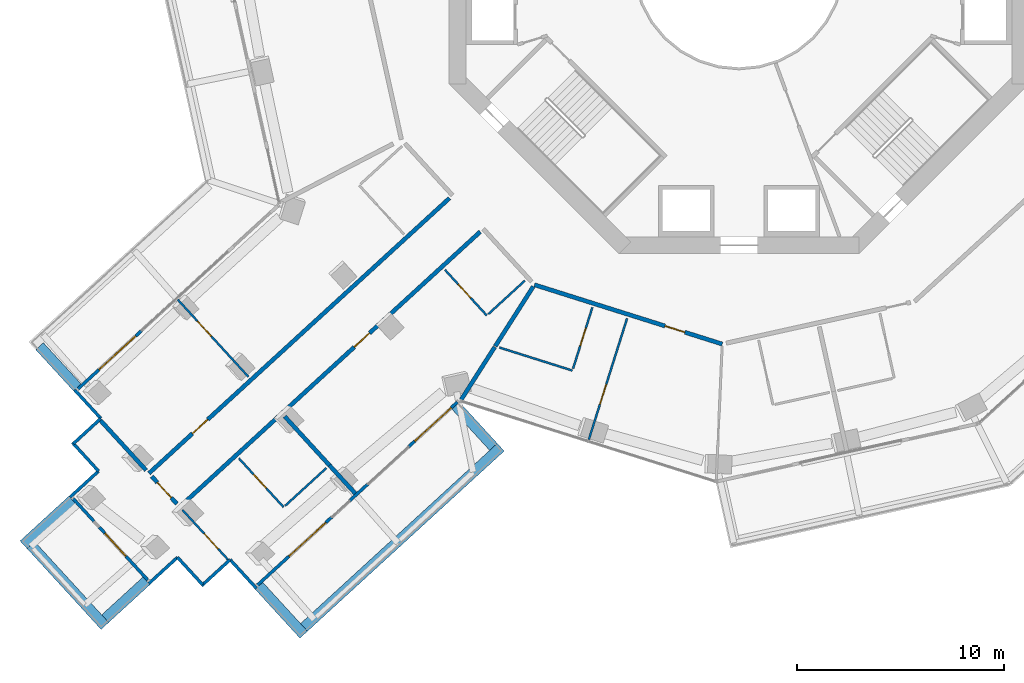
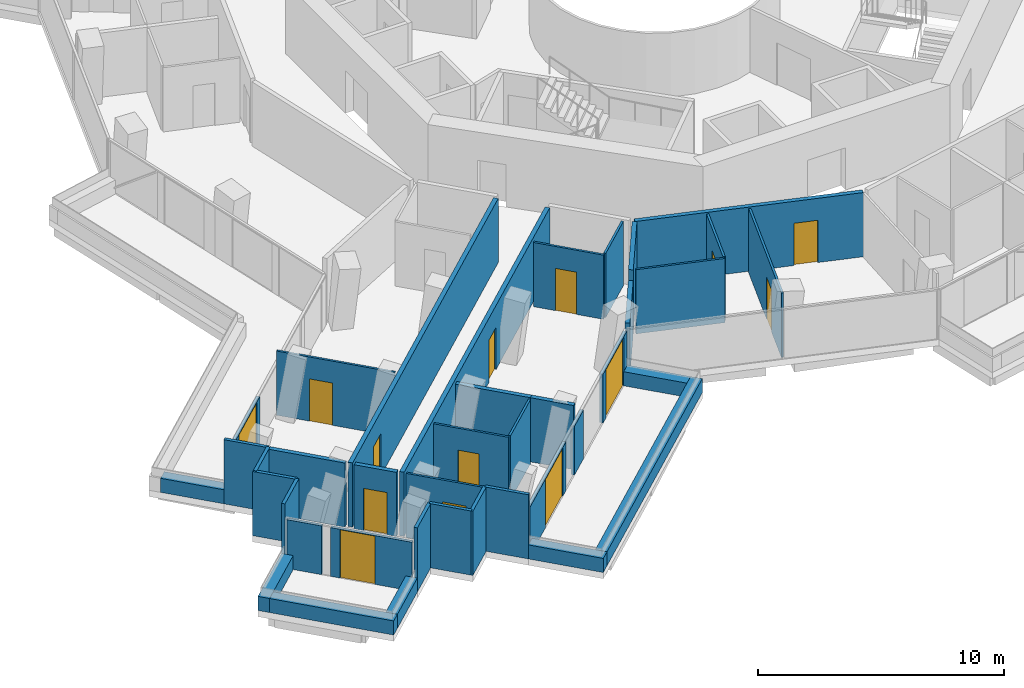
# One storey, part 16 of 24: 39 walls, 14 doors, 14 openings.
"""IFC4 building model written with IfcOpenShell, lengths in metres."""

from ifc_helpers import new_model, si_unit, direction, frame, frame_2d, origin, place, context, subcontext, project, spatial, rectangle, extrude, material, layer, layer_set, type_object, element, fill, save


model = new_model("IFC4")

# Units and contexts
model_context = context("Model", 3, precision=1e-05, world=origin(), true_north=direction((0.0, 1.0)))
body_context = subcontext(model_context, "Body", "Model", "MODEL_VIEW")
ifc_project = project(units=[si_unit("LENGTHUNIT", "METRE"), si_unit("AREAUNIT", "SQUARE_METRE"), si_unit("VOLUMEUNIT", "CUBIC_METRE"), si_unit("PLANEANGLEUNIT", "RADIAN"), si_unit("MASSUNIT", "GRAM", prefix="KILO")], contexts=[model_context])

# Site, building, storey
site_placement = place(None, origin())
site = spatial("IfcSite", under=ifc_project, at=site_placement, CompositionType="ELEMENT")
building_placement = place(site_placement, origin())
building = spatial("IfcBuilding", under=site, at=building_placement, Name="Verdalira Terraces Hotel", CompositionType="ELEMENT")
storey_placement = place(building_placement, frame((0.0, 0.0, 86.0)))
storey = spatial("IfcBuildingStorey", under=building, at=storey_placement, Name="L19", CompositionType="ELEMENT", Elevation=86.0)

# Walls
ifc_material_1 = material(Name="Concrete C40", Category="concrete")
ifc_layer_1 = layer(ifc_material_1, 0.5)
ifc_layer_set_1 = layer_set([ifc_layer_1], Name="Balcony planter trough with tree")
wall_type_1 = type_object("IfcWallType", Name="Balcony planter trough with tree", PredefinedType="SOLIDWALL", material=ifc_layer_set_1)
wall_1_placement = place(storey_placement, frame((-33.793945, -18.470215, 0.0), z_axis=(0.0, 0.0, 1.0), x_axis=(0.675306739, -0.737536988, 0.0)))
element("IfcWall", 1, at=wall_1_placement, inside=storey, type_object=wall_type_1, Name="Balcony planter", PredefinedType="SOLIDWALL", context=body_context, shape_type="SweptSolid", body=[
    extrude(rectangle(XDim=2.699219, YDim=0.5, at=frame_2d((1.349609, 0.0))), origin(), (0.0, 0.0, 1.0), 0.699951),
])
wall_2_placement = place(storey_placement, frame((-32.210693, -25.901611, 0.0), z_axis=(0.0, 0.0, 1.0), x_axis=(-0.737486694, -0.675361663, 0.0)))
element("IfcWall", 2, at=wall_2_placement, inside=storey, type_object=wall_type_1, Name="Balcony planter", PredefinedType="SOLIDWALL", context=body_context, shape_type="SweptSolid", body=[
    extrude(rectangle(XDim=3.198975, YDim=0.5, at=frame_2d((1.599609, 0.0))), origin(), (0.0, 0.0, 1.0), 0.699951),
])
wall_3_placement = place(storey_placement, frame((-34.216797, -28.077637, 0.0), z_axis=(0.0, 0.0, 1.0), x_axis=(0.675330302, -0.737515412, 0.0)))
element("IfcWall", 3, at=wall_3_placement, inside=storey, type_object=wall_type_1, Name="Balcony planter", PredefinedType="SOLIDWALL", context=body_context, shape_type="SweptSolid", body=[
    extrude(rectangle(XDim=5.300049, YDim=0.5, at=frame_2d((2.649902, 0.0))), origin(), (0.0, 0.0, 1.0), 0.699951),
])
wall_4_placement = place(storey_placement, frame((-30.621826, -31.633301, 0.0), z_axis=(0.0, 0.0, 1.0), x_axis=(0.737495734, 0.675351791, 0.0)))
element("IfcWall", 4, at=wall_4_placement, inside=storey, type_object=wall_type_1, Name="Balcony planter", PredefinedType="SOLIDWALL", context=body_context, shape_type="SweptSolid", body=[
    extrude(rectangle(XDim=2.698975, YDim=0.5, at=frame_2d((1.349609, 0.0))), origin(), (0.0, 0.0, 1.0), 0.699951),
])
wall_5_placement = place(storey_placement, frame((-23.19043, -30.050049, 0.0), z_axis=(0.0, 0.0, 1.0), x_axis=(0.675323652, -0.737521502, 0.0)))
element("IfcWall", 5, at=wall_5_placement, inside=storey, type_object=wall_type_1, Name="Balcony planter", PredefinedType="SOLIDWALL", context=body_context, shape_type="SweptSolid", body=[
    extrude(rectangle(XDim=3.198975, YDim=0.5, at=frame_2d((1.599609, 0.0))), origin(), (0.0, 0.0, 1.0), 0.699951),
])
wall_6_placement = place(storey_placement, frame((-21.014404, -32.056152, 0.0), z_axis=(0.0, 0.0, 1.0), x_axis=(0.737507871, 0.675338537, 0.0)))
element("IfcWall", 6, at=wall_6_placement, inside=storey, type_object=wall_type_1, Name="Balcony planter", PredefinedType="SOLIDWALL", context=body_context, shape_type="SweptSolid", body=[
    extrude(rectangle(XDim=12.888428, YDim=0.5, at=frame_2d((6.444336, 0.0))), origin(), (0.0, 0.0, 1.0), 0.699951),
])
wall_7_placement = place(storey_placement, frame((-11.862061, -23.336426, 0.0), z_axis=(0.0, 0.0, 1.0), x_axis=(-0.675351791, 0.737495734, 0.0)))
element("IfcWall", 7, at=wall_7_placement, inside=storey, type_object=wall_type_1, Name="Balcony planter", PredefinedType="SOLIDWALL", context=body_context, shape_type="SweptSolid", body=[
    extrude(rectangle(XDim=2.698975, YDim=0.5, at=frame_2d((1.349609, 0.0))), origin(), (0.0, 0.0, 1.0), 0.699951),
])

# Wall, opening, door
ifc_material_2 = material(Name="Moisture-resistant gypsum board partition")
ifc_layer_2 = layer(ifc_material_2, 0.10009765625)
ifc_layer_set_2 = layer_set([ifc_layer_2], Name="Bathroom partition 100 mm")
wall_type_2 = type_object("IfcWallType", Name="Bathroom partition 100 mm", PredefinedType="PARTITIONING", material=ifc_layer_set_2)
wall_8_placement = place(storey_placement, frame((-26.887207, -26.383057, 0.0), z_axis=(0.0, 0.0, 1.0), x_axis=(0.675302963, -0.737540445, 0.0)))
wall_8 = element("IfcWall", 8, at=wall_8_placement, inside=storey, type_object=wall_type_2, Name="Bathroom partition", PredefinedType="PARTITIONING", context=body_context, shape_type="SweptSolid", body=[
    extrude(rectangle(XDim=3.251953, YDim=0.100098, at=frame_2d((1.625977, 0.0))), origin(), (0.0, 0.0, 1.0), 3.189941),
])
opening_1_placement = place(wall_8_placement, frame((1.550049, 0.0, 0.0)))
opening_1 = element("IfcOpeningElement", 9, at=opening_1_placement, cuts=wall_8, Name="Opening L19-117", PredefinedType="OPENING", context=body_context, shape_type="SweptSolid", body=[
    extrude(rectangle(XDim=1.0, YDim=2.100098, at=frame_2d((0.5, 1.050049))), frame((0.0, 0.060059, 0.0), z_axis=(0.0, -1.0, 0.0), x_axis=(1.0, 0.0, 0.0)), (0.0, 0.0, 1.0), 0.120117),
])
ifc_material_3 = material(Name="Timber door", Category="wood")
door_type_1 = type_object("IfcDoorType", Name="Suite internal door 1000 x 2100", OperationType="NOTDEFINED", PredefinedType="DOOR", material=ifc_material_3)
door_1_placement = place(opening_1_placement, origin())
door_1 = element("IfcDoor", 10, at=door_1_placement, inside=storey, type_object=door_type_1, Name="Suite internal door 1906", OperationType="SINGLE_SWING_LEFT", OverallHeight=2.10009765625, OverallWidth=1.0, PredefinedType="DOOR", context=body_context, shape_type="SweptSolid", body=[
    extrude(rectangle(XDim=1.0, YDim=2.100098, at=frame_2d((0.5, 1.050049))), frame((0.0, 0.024902, 0.0), z_axis=(0.0, -1.0, 0.0), x_axis=(1.0, 0.0, 0.0)), (0.0, 0.0, 1.0), 0.050049),
])
fill(opening_1, door_1)

wall_9_placement = place(storey_placement, frame((-27.116455, -16.220215, 0.0), z_axis=(0.0, 0.0, 1.0), x_axis=(0.675363337, -0.737485161, 0.0)))
wall_9 = element("IfcWall", 11, at=wall_9_placement, inside=storey, type_object=wall_type_2, Name="Bathroom partition", PredefinedType="PARTITIONING", context=body_context, shape_type="SweptSolid", body=[
    extrude(rectangle(XDim=5.050049, YDim=0.100098, at=frame_2d((2.524902, 0.0))), origin(), (0.0, 0.0, 1.0), 3.189941),
])
opening_2_placement = place(wall_9_placement, frame((1.399902, 0.0, 0.0)))
opening_2 = element("IfcOpeningElement", 12, at=opening_2_placement, cuts=wall_9, Name="Opening L19-114", PredefinedType="OPENING", context=body_context, shape_type="SweptSolid", body=[
    extrude(rectangle(XDim=1.0, YDim=2.100098, at=frame_2d((0.5, 1.050049))), frame((0.0, 0.060059, 0.0), z_axis=(0.0, -1.0, 0.0), x_axis=(1.0, 0.0, 0.0)), (0.0, 0.0, 1.0), 0.120117),
])
door_2_placement = place(opening_2_placement, origin())
door_2 = element("IfcDoor", 13, at=door_2_placement, inside=storey, type_object=door_type_1, Name="Suite internal door 1905", OperationType="SINGLE_SWING_LEFT", OverallHeight=2.10009765625, OverallWidth=1.0, PredefinedType="DOOR", context=body_context, shape_type="SweptSolid", body=[
    extrude(rectangle(XDim=1.0, YDim=2.100098, at=frame_2d((0.5, 1.050049))), frame((0.0, 0.024902, 0.0), z_axis=(0.0, -1.0, 0.0), x_axis=(1.0, 0.0, 0.0)), (0.0, 0.0, 1.0), 0.050049),
])
fill(opening_2, door_2)

wall_10_placement = place(storey_placement, frame((-24.162598, -23.888184, 0.0), z_axis=(0.0, 0.0, 1.0), x_axis=(0.675334151, -0.737511888, 0.0)))
wall_10 = element("IfcWall", 14, at=wall_10_placement, inside=storey, type_object=wall_type_2, Name="Bathroom partition", PredefinedType="PARTITIONING", context=body_context, shape_type="SweptSolid", body=[
    extrude(rectangle(XDim=3.200195, YDim=0.100098, at=frame_2d((1.600098, 0.0))), origin(), (0.0, 0.0, 1.0), 3.189941),
])
opening_3_placement = place(wall_10_placement, frame((1.050049, 0.0, 0.0)))
opening_3 = element("IfcOpeningElement", 15, at=opening_3_placement, cuts=wall_10, Name="Opening L19-118", PredefinedType="OPENING", context=body_context, shape_type="SweptSolid", body=[
    extrude(rectangle(XDim=0.899902, YDim=2.100098, at=frame_2d((0.449951, 1.050049))), frame((0.0, 0.060059, 0.0), z_axis=(0.0, -1.0, 0.0), x_axis=(1.0, 0.0, 0.0)), (0.0, 0.0, 1.0), 0.120117),
])
ifc_material_4 = material(Name="Timber door", Category="wood")
door_type_2 = type_object("IfcDoorType", Name="Bathroom door 900 x 2100", OperationType="NOTDEFINED", PredefinedType="DOOR", material=ifc_material_4)
door_3_placement = place(opening_3_placement, origin())
door_3 = element("IfcDoor", 16, at=door_3_placement, inside=storey, type_object=door_type_2, Name="Bathroom door 1906", OperationType="SINGLE_SWING_RIGHT", OverallHeight=2.10009765625, OverallWidth=0.89990234375, PredefinedType="DOOR", context=body_context, shape_type="SweptSolid", body=[
    extrude(rectangle(XDim=0.899902, YDim=2.100098, at=frame_2d((0.449951, 1.050049))), frame((0.0, 0.024902, 0.0), z_axis=(0.0, -1.0, 0.0), x_axis=(1.0, 0.0, 0.0)), (0.0, 0.0, 1.0), 0.050049),
])
fill(opening_3, door_3)

# Wall
wall_11_placement = place(storey_placement, frame((-21.927734, -26.180664, 0.0), z_axis=(0.0, 0.0, 1.0), x_axis=(0.737484349, 0.675364223, 0.0)))
element("IfcWall", 17, at=wall_11_placement, inside=storey, type_object=wall_type_2, Name="Bathroom partition", PredefinedType="PARTITIONING", context=body_context, shape_type="SweptSolid", body=[
    extrude(rectangle(XDim=2.699951, YDim=0.100098, at=frame_2d((1.350098, 0.0))), origin(), (0.0, 0.0, 1.0), 3.189941),
])

# Wall, opening, door
wall_12_placement = place(storey_placement, frame((-14.210449, -14.774902, 0.0), z_axis=(0.0, 0.0, 1.0), x_axis=(0.675337617, -0.737508714, 0.0)))
wall_12 = element("IfcWall", 18, at=wall_12_placement, inside=storey, type_object=wall_type_2, Name="Bathroom partition", PredefinedType="PARTITIONING", context=body_context, shape_type="SweptSolid", body=[
    extrude(rectangle(XDim=3.000244, YDim=0.100098, at=frame_2d((1.5, 0.0))), origin(), (0.0, 0.0, 1.0), 3.189941),
])
opening_4_placement = place(wall_12_placement, frame((0.949951, 0.0, 0.0)))
opening_4 = element("IfcOpeningElement", 19, at=opening_4_placement, cuts=wall_12, Name="Opening L19-120", PredefinedType="OPENING", context=body_context, shape_type="SweptSolid", body=[
    extrude(rectangle(XDim=0.899902, YDim=2.100098, at=frame_2d((0.449951, 1.050049))), frame((0.0, 0.060059, 0.0), z_axis=(0.0, -1.0, 0.0), x_axis=(1.0, 0.0, 0.0)), (0.0, 0.0, 1.0), 0.120117),
])
door_4_placement = place(opening_4_placement, origin())
door_4 = element("IfcDoor", 20, at=door_4_placement, inside=storey, type_object=door_type_2, Name="Bathroom door 1907", OperationType="SINGLE_SWING_RIGHT", OverallHeight=2.10009765625, OverallWidth=0.89990234375, PredefinedType="DOOR", context=body_context, shape_type="SweptSolid", body=[
    extrude(rectangle(XDim=0.899902, YDim=2.100098, at=frame_2d((0.449951, 1.050049))), frame((0.0, 0.024902, 0.0), z_axis=(0.0, -1.0, 0.0), x_axis=(1.0, 0.0, 0.0)), (0.0, 0.0, 1.0), 0.050049),
])
fill(opening_4, door_4)

# Walls
wall_13_placement = place(storey_placement, frame((-10.340576, -15.299316, 0.0), z_axis=(0.0, 0.0, 1.0), x_axis=(-0.737550957, -0.675291483, 0.0)))
element("IfcWall", 21, at=wall_13_placement, inside=storey, type_object=wall_type_2, Name="Bathroom partition", PredefinedType="PARTITIONING", context=body_context, shape_type="SweptSolid", body=[
    extrude(rectangle(XDim=2.399902, YDim=0.100098, at=frame_2d((1.199951, 0.0))), origin(), (0.0, 0.0, 1.0), 3.189941),
])
wall_14_placement = place(storey_placement, frame((-11.578369, -18.532471, 0.0), z_axis=(0.0, 0.0, 1.0), x_axis=(0.953617524, -0.301020959, 0.0)))
element("IfcWall", 22, at=wall_14_placement, inside=storey, type_object=wall_type_2, Name="Bathroom partition", PredefinedType="PARTITIONING", context=body_context, shape_type="SweptSolid", body=[
    extrude(rectangle(XDim=3.704102, YDim=0.100098, at=frame_2d((1.852051, 0.0))), origin(), (0.0, 0.0, 1.0), 3.189941),
])

# Wall, opening, door
wall_15_placement = place(storey_placement, frame((-8.016113, -19.552002, 0.0), z_axis=(0.0, 0.0, 1.0), x_axis=(0.301018286, 0.953618368, 0.0)))
wall_15 = element("IfcWall", 23, at=wall_15_placement, inside=storey, type_object=wall_type_2, Name="Bathroom partition", PredefinedType="PARTITIONING", context=body_context, shape_type="SweptSolid", body=[
    extrude(rectangle(XDim=3.099854, YDim=0.100098, at=frame_2d((1.549805, 0.0))), origin(), (0.0, 0.0, 1.0), 3.189941),
])
opening_5_placement = place(wall_15_placement, frame((1.149902, 0.0, 0.0)))
opening_5 = element("IfcOpeningElement", 24, at=opening_5_placement, cuts=wall_15, Name="Opening L19-124", PredefinedType="OPENING", context=body_context, shape_type="SweptSolid", body=[
    extrude(rectangle(XDim=0.899902, YDim=2.100098, at=frame_2d((0.449951, 1.050049))), frame((0.0, 0.060059, 0.0), z_axis=(0.0, -1.0, 0.0), x_axis=(1.0, 0.0, 0.0)), (0.0, 0.0, 1.0), 0.120117),
])
door_5_placement = place(opening_5_placement, origin())
door_5 = element("IfcDoor", 25, at=door_5_placement, inside=storey, type_object=door_type_2, Name="Bathroom door 1908", OperationType="SINGLE_SWING_LEFT", OverallHeight=2.10009765625, OverallWidth=0.89990234375, PredefinedType="DOOR", context=body_context, shape_type="SweptSolid", body=[
    extrude(rectangle(XDim=0.899902, YDim=2.100098, at=frame_2d((0.449951, 1.050049))), frame((0.0, 0.024902, 0.0), z_axis=(0.0, -1.0, 0.0), x_axis=(1.0, 0.0, 0.0)), (0.0, 0.0, 1.0), 0.050049),
])
fill(opening_5, door_5)

wall_16_placement = place(storey_placement, frame((-7.257568, -22.98999, 0.0), z_axis=(0.0, 0.0, 1.0), x_axis=(0.301026872, 0.953615657, 0.0)))
wall_16 = element("IfcWall", 26, at=wall_16_placement, inside=storey, type_object=wall_type_2, Name="Bathroom partition", PredefinedType="PARTITIONING", context=body_context, shape_type="SweptSolid", body=[
    extrude(rectangle(XDim=6.149902, YDim=0.100098, at=frame_2d((3.074951, 0.0))), origin(), (0.0, 0.0, 1.0), 3.189941),
])
opening_6_placement = place(wall_16_placement, frame((1.800049, 0.0, 0.0)))
opening_6 = element("IfcOpeningElement", 27, at=opening_6_placement, cuts=wall_16, Name="Opening L19-122", PredefinedType="OPENING", context=body_context, shape_type="SweptSolid", body=[
    extrude(rectangle(XDim=1.0, YDim=2.100098, at=frame_2d((0.5, 1.050049))), frame((0.0, 0.060059, 0.0), z_axis=(0.0, -1.0, 0.0), x_axis=(1.0, 0.0, 0.0)), (0.0, 0.0, 1.0), 0.120117),
])
door_6_placement = place(opening_6_placement, origin())
door_6 = element("IfcDoor", 28, at=door_6_placement, inside=storey, type_object=door_type_1, Name="Suite internal door 1908", OperationType="SINGLE_SWING_LEFT", OverallHeight=2.10009765625, OverallWidth=1.0, PredefinedType="DOOR", context=body_context, shape_type="SweptSolid", body=[
    extrude(rectangle(XDim=1.0, YDim=2.100098, at=frame_2d((0.5, 1.050049))), frame((0.0, 0.024902, 0.0), z_axis=(0.0, -1.0, 0.0), x_axis=(1.0, 0.0, 0.0)), (0.0, 0.0, 1.0), 0.050049),
])
fill(opening_6, door_6)

# Walls
ifc_material_5 = material(Name="Fire-rated gypsum board wall")
ifc_layer_3 = layer(ifc_material_5, 0.199951171875)
ifc_layer_set_3 = layer_set([ifc_layer_3], Name="Demising wall 200 mm")
wall_type_3 = type_object("IfcWallType", Name="Demising wall 200 mm", PredefinedType="SOLIDWALL", material=ifc_layer_set_3)
wall_17_placement = place(storey_placement, frame((-28.643066, -24.465576, 0.0), z_axis=(0.0, 0.0, 1.0), x_axis=(-0.675323136, 0.737521974, 0.0)))
element("IfcWall", 29, at=wall_17_placement, inside=storey, type_object=wall_type_3, Name="Demising wall", PredefinedType="SOLIDWALL", context=body_context, shape_type="SweptSolid", body=[
    extrude(rectangle(XDim=3.25, YDim=0.199951, at=frame_2d((1.625, 0.0))), origin(), (0.0, 0.0, 1.0), 3.189941),
])
wall_18_placement = place(storey_placement, frame((-21.950195, -21.862061, 0.0), z_axis=(0.0, 0.0, 1.0), x_axis=(0.675334151, -0.737511888, 0.0)))
element("IfcWall", 30, at=wall_18_placement, inside=storey, type_object=wall_type_3, Name="Demising wall", PredefinedType="SOLIDWALL", context=body_context, shape_type="SweptSolid", body=[
    extrude(rectangle(XDim=3.200195, YDim=0.199951, at=frame_2d((1.600098, 0.0))), origin(), (0.0, 0.0, 1.0), 3.189941),
])
wall_19_placement = place(storey_placement, frame((-19.789062, -24.222168, 0.0), z_axis=(0.0, 0.0, 1.0), x_axis=(0.675348094, -0.73749912, 0.0)))
element("IfcWall", 31, at=wall_19_placement, inside=storey, type_object=wall_type_3, Name="Demising wall", PredefinedType="SOLIDWALL", context=body_context, shape_type="SweptSolid", body=[
    extrude(rectangle(XDim=1.850098, YDim=0.199951, at=frame_2d((0.925049, 0.0))), origin(), (0.0, 0.0, 1.0), 3.189941),
])
wall_20_placement = place(storey_placement, frame((-9.939209, -15.589355, 0.0), z_axis=(0.0, 0.0, 1.0), x_axis=(-0.537591617, -0.843205345, 0.0)))
element("IfcWall", 32, at=wall_20_placement, inside=storey, type_object=wall_type_3, Name="Demising wall", PredefinedType="SOLIDWALL", context=body_context, shape_type="SweptSolid", body=[
    extrude(rectangle(XDim=3.418213, YDim=0.199951, at=frame_2d((1.708984, 0.0))), origin(), (0.0, 0.0, 1.0), 3.189941),
])
ifc_material_6 = material(Name="Fire-rated gypsum board wall")
ifc_layer_4 = layer(ifc_material_6, 0.199951171875)
ifc_layer_set_4 = layer_set([ifc_layer_4], Name="Demising wall 200 mm to beam soffit")
wall_type_4 = type_object("IfcWallType", Name="Demising wall 200 mm to beam soffit", PredefinedType="SOLIDWALL", material=ifc_layer_set_4)
wall_21_placement = place(storey_placement, frame((-11.801514, -18.510498, 0.0), z_axis=(0.0, 0.0, 1.0), x_axis=(-0.537578234, -0.843213877, 0.0)))
element("IfcWall", 33, at=wall_21_placement, inside=storey, type_object=wall_type_4, Name="Demising wall", PredefinedType="SOLIDWALL", context=body_context, shape_type="SweptSolid", body=[
    extrude(rectangle(XDim=3.011475, YDim=0.199951, at=frame_2d((1.505859, 0.0))), origin(), (0.0, 0.0, 1.0), 2.689941),
])

# Wall, opening, door
ifc_material_7 = material(Name="Fire-rated gypsum board wall")
ifc_layer_5 = layer(ifc_material_7, 0.199951171875)
ifc_layer_set_5 = layer_set([ifc_layer_5], Name="Guest corridor wall 200 mm")
wall_type_5 = type_object("IfcWallType", Name="Guest corridor wall 200 mm", PredefinedType="SOLIDWALL", material=ifc_layer_set_5)
wall_22_placement = place(storey_placement, frame((-27.156006, -26.0896, 0.0), z_axis=(0.0, 0.0, 1.0), x_axis=(-0.675295544, 0.737547238, 0.0)))
wall_22 = element("IfcWall", 34, at=wall_22_placement, inside=storey, type_object=wall_type_5, Name="Guest corridor wall", PredefinedType="SOLIDWALL", context=body_context, shape_type="SweptSolid", body=[
    extrude(rectangle(XDim=1.803955, YDim=0.199951, at=frame_2d((0.901855, 0.0))), origin(), (0.0, 0.0, 1.0), 3.189941),
])
opening_7_placement = place(wall_22_placement, frame((0.399902, 0.0, 0.0)))
opening_7 = element("IfcOpeningElement", 35, at=opening_7_placement, cuts=wall_22, Name="Opening L19-116", PredefinedType="OPENING", context=body_context, shape_type="SweptSolid", body=[
    extrude(rectangle(XDim=1.0, YDim=2.100098, at=frame_2d((0.5, 1.050049))), frame((0.0, 0.109863, 0.0), z_axis=(0.0, -1.0, 0.0), x_axis=(1.0, 0.0, 0.0)), (0.0, 0.0, 1.0), 0.219971),
])
ifc_material_8 = material(Name="Timber fire door", Category="wood")
door_type_3 = type_object("IfcDoorType", Name="Guest entry door 1000 x 2100", OperationType="NOTDEFINED", PredefinedType="DOOR", material=ifc_material_8)
door_7_placement = place(opening_7_placement, origin())
door_7 = element("IfcDoor", 36, at=door_7_placement, inside=storey, type_object=door_type_3, Name="Guest entry door 1906", OperationType="SINGLE_SWING_LEFT", OverallHeight=2.10009765625, OverallWidth=1.0, PredefinedType="DOOR", context=body_context, shape_type="SweptSolid", body=[
    extrude(rectangle(XDim=1.0, YDim=2.100098, at=frame_2d((0.5, 1.050049))), frame((0.0, 0.024902, 0.0), z_axis=(0.0, -1.0, 0.0), x_axis=(1.0, 0.0, 0.0)), (0.0, 0.0, 1.0), 0.050049),
])
fill(opening_7, door_7)

wall_23_placement = place(storey_placement, frame((-28.508057, -24.613037, 0.0), z_axis=(0.0, 0.0, 1.0), x_axis=(0.737515881, 0.67532979, 0.0)))
wall_23 = element("IfcWall", 37, at=wall_23_placement, inside=storey, type_object=wall_type_5, Name="Guest corridor wall", PredefinedType="SOLIDWALL", context=body_context, shape_type="SweptSolid", body=[
    extrude(rectangle(XDim=19.688721, YDim=0.199951, at=frame_2d((9.844238, 0.0))), origin(), (0.0, 0.0, 1.0), 3.189941),
])
opening_8_placement = place(wall_23_placement, frame((2.850098, 0.0, 0.0)))
opening_8 = element("IfcOpeningElement", 38, at=opening_8_placement, cuts=wall_23, Name="Opening L19-113", PredefinedType="OPENING", context=body_context, shape_type="SweptSolid", body=[
    extrude(rectangle(XDim=1.0, YDim=2.100098, at=frame_2d((0.5, 1.050049))), frame((0.0, 0.109863, 0.0), z_axis=(0.0, -1.0, 0.0), x_axis=(1.0, 0.0, 0.0)), (0.0, 0.0, 1.0), 0.219971),
])
door_8_placement = place(opening_8_placement, origin())
door_8 = element("IfcDoor", 39, at=door_8_placement, inside=storey, type_object=door_type_3, Name="Guest entry door 1905", OperationType="SINGLE_SWING_LEFT", OverallHeight=2.10009765625, OverallWidth=1.0, PredefinedType="DOOR", context=body_context, shape_type="SweptSolid", body=[
    extrude(rectangle(XDim=1.0, YDim=2.100098, at=frame_2d((0.5, 1.050049))), frame((0.0, 0.024902, 0.0), z_axis=(0.0, -1.0, 0.0), x_axis=(1.0, 0.0, 0.0)), (0.0, 0.0, 1.0), 0.050049),
])
fill(opening_8, door_8)

wall_24_placement = place(storey_placement, frame((-12.501709, -12.939209, 0.0), z_axis=(0.0, 0.0, 1.0), x_axis=(-0.737510226, -0.675335966, 0.0)))
wall_24 = element("IfcWall", 40, at=wall_24_placement, inside=storey, type_object=wall_type_5, Name="Guest corridor wall", PredefinedType="SOLIDWALL", context=body_context, shape_type="SweptSolid", body=[
    extrude(rectangle(XDim=19.688477, YDim=0.199951, at=frame_2d((9.844238, 0.0))), origin(), (0.0, 0.0, 1.0), 3.189941),
])
opening_9_placement = place(wall_24_placement, frame((7.25, 0.0, 0.0)))
opening_9 = element("IfcOpeningElement", 41, at=opening_9_placement, cuts=wall_24, Name="Opening L19-119", PredefinedType="OPENING", context=body_context, shape_type="SweptSolid", body=[
    extrude(rectangle(XDim=1.0, YDim=2.100098, at=frame_2d((0.5, 1.050049))), frame((0.0, 0.109863, 0.0), z_axis=(0.0, -1.0, 0.0), x_axis=(1.0, 0.0, 0.0)), (0.0, 0.0, 1.0), 0.219971),
])
door_9_placement = place(opening_9_placement, origin())
door_9 = element("IfcDoor", 42, at=door_9_placement, inside=storey, type_object=door_type_3, Name="Guest entry door 1907", OperationType="SINGLE_SWING_RIGHT", OverallHeight=2.10009765625, OverallWidth=1.0, PredefinedType="DOOR", context=body_context, shape_type="SweptSolid", body=[
    extrude(rectangle(XDim=1.0, YDim=2.100098, at=frame_2d((0.5, 1.050049))), frame((0.0, 0.024902, 0.0), z_axis=(0.0, -1.0, 0.0), x_axis=(1.0, 0.0, 0.0)), (0.0, 0.0, 1.0), 0.050049),
])
fill(opening_9, door_9)

wall_25_placement = place(storey_placement, frame((-0.80835, -18.366943, 0.0), z_axis=(0.0, 0.0, 1.0), x_axis=(-0.953616003, 0.301025777, 0.0)))
wall_25 = element("IfcWall", 43, at=wall_25_placement, inside=storey, type_object=wall_type_5, Name="Guest corridor wall", PredefinedType="SOLIDWALL", context=body_context, shape_type="SweptSolid", body=[
    extrude(rectangle(XDim=9.516602, YDim=0.199951, at=frame_2d((4.758301, 0.0))), origin(), (0.0, 0.0, 1.0), 3.189941),
])
opening_10_placement = place(wall_25_placement, frame((1.899902, 0.0, 0.0)))
opening_10 = element("IfcOpeningElement", 44, at=opening_10_placement, cuts=wall_25, Name="Opening L19-121", PredefinedType="OPENING", context=body_context, shape_type="SweptSolid", body=[
    extrude(rectangle(XDim=1.0, YDim=2.100098, at=frame_2d((0.5, 1.050049))), frame((0.0, 0.109863, 0.0), z_axis=(0.0, -1.0, 0.0), x_axis=(1.0, 0.0, 0.0)), (0.0, 0.0, 1.0), 0.219971),
])
door_10_placement = place(opening_10_placement, origin())
door_10 = element("IfcDoor", 45, at=door_10_placement, inside=storey, type_object=door_type_3, Name="Guest entry door 1908", OperationType="SINGLE_SWING_LEFT", OverallHeight=2.10009765625, OverallWidth=1.0, PredefinedType="DOOR", context=body_context, shape_type="SweptSolid", body=[
    extrude(rectangle(XDim=1.0, YDim=2.100098, at=frame_2d((0.5, 1.050049))), frame((0.0, 0.024902, 0.0), z_axis=(0.0, -1.0, 0.0), x_axis=(1.0, 0.0, 0.0)), (0.0, 0.0, 1.0), 0.050049),
])
fill(opening_10, door_10)

# Walls
ifc_material_9 = material(Name="Terracotta cladding", Category="masonry")
ifc_layer_6 = layer(ifc_material_9, 0.14990234375)
ifc_layer_set_6 = layer_set([ifc_layer_6], Name="Terracotta clad wall 150")
wall_type_6 = type_object("IfcWallType", Name="Terracotta clad wall 150", PredefinedType="SOLIDWALL", material=ifc_layer_set_6)
wall_26_placement = place(storey_placement, frame((-32.099609, -20.579834, 0.0), z_axis=(0.0, 0.0, 1.0), x_axis=(0.675370788, -0.737478338, 0.0)))
element("IfcWall", 46, at=wall_26_placement, inside=storey, type_object=wall_type_6, Name="Terracotta cladding wall", PredefinedType="SOLIDWALL", context=body_context, shape_type="SweptSolid", body=[
    extrude(rectangle(XDim=1.875, YDim=0.149902, at=frame_2d((0.9375, 0.0))), origin(), (0.0, 0.0, 1.0), 3.189941),
])
wall_27_placement = place(storey_placement, frame((-30.833252, -21.962646, 0.0), z_axis=(0.0, 0.0, 1.0), x_axis=(-0.737548105, -0.675294597, 0.0)))
element("IfcWall", 47, at=wall_27_placement, inside=storey, type_object=wall_type_6, Name="Terracotta cladding wall", PredefinedType="SOLIDWALL", context=body_context, shape_type="SweptSolid", body=[
    extrude(rectangle(XDim=1.800049, YDim=0.149902, at=frame_2d((0.899902, 0.0))), origin(), (0.0, 0.0, 1.0), 3.189941),
])
for number, where, z_axis, x_axis, name in (
    (48, (-32.211426, -23.122803, 0.0), (0.0, 0.0, 1.0), (0.675235111, -0.737602566, 0.0), "Terracotta cladding wall"),
    (49, (-30.945312, -24.505859, 0.0), (0.0, 0.0, 1.0), (-0.737543192, -0.675299963, 0.0), "Terracotta cladding wall"),
    (50, (-28.512451, -29.938965, 0.0), (0.0, 0.0, 1.0), (0.737478338, 0.675370788, 0.0), "Terracotta cladding wall"),
):
    element("IfcWall", number, at=place(storey_placement, frame(where, z_axis=z_axis, x_axis=x_axis)), inside=storey, type_object=wall_type_6, Name=name, PredefinedType="SOLIDWALL", context=body_context, shape_type="SweptSolid", body=[
        extrude(rectangle(XDim=1.875, YDim=0.149902, at=frame_2d((0.9375, 0.0))), origin(), (0.0, 0.0, 1.0), 3.189941),
    ])
wall_28_placement = place(storey_placement, frame((-27.129639, -28.672607, 0.0), z_axis=(0.0, 0.0, 1.0), x_axis=(0.675294597, -0.737548105, 0.0)))
element("IfcWall", 51, at=wall_28_placement, inside=storey, type_object=wall_type_6, Name="Terracotta cladding wall", PredefinedType="SOLIDWALL", context=body_context, shape_type="SweptSolid", body=[
    extrude(rectangle(XDim=1.800049, YDim=0.149902, at=frame_2d((0.899902, 0.0))), origin(), (0.0, 0.0, 1.0), 3.189941),
])
for number, where, z_axis, x_axis, name in (
    (52, (-25.969238, -30.050781, 0.0), (0.0, 0.0, 1.0), (0.737543192, 0.675299963, 0.0), "Terracotta cladding wall"),
    (53, (-24.586426, -28.784668, 0.0), (0.0, 0.0, 1.0), (0.675299963, -0.737543192, 0.0), "Terracotta cladding wall"),
):
    element("IfcWall", number, at=place(storey_placement, frame(where, z_axis=z_axis, x_axis=x_axis)), inside=storey, type_object=wall_type_6, Name=name, PredefinedType="SOLIDWALL", context=body_context, shape_type="SweptSolid", body=[
        extrude(rectangle(XDim=1.875, YDim=0.149902, at=frame_2d((0.9375, 0.0))), origin(), (0.0, 0.0, 1.0), 3.189941),
    ])
ifc_material_10 = material(Name="Terracotta cladding", Category="masonry")
ifc_layer_7 = layer(ifc_material_10, 0.14990234375)
ifc_layer_set_7 = layer_set([ifc_layer_7], Name="Terracotta column pier 150")
wall_type_7 = type_object("IfcWallType", Name="Terracotta column pier 150", PredefinedType="SOLIDWALL", material=ifc_layer_set_7)
wall_29_placement = place(storey_placement, frame((-32.167969, -25.835693, 0.0), z_axis=(0.0, 0.0, 1.0), x_axis=(0.675373967, -0.737475427, 0.0)))
element("IfcWall", 54, at=wall_29_placement, inside=storey, type_object=wall_type_7, Name="Terracotta column pier", PredefinedType="SOLIDWALL", context=body_context, shape_type="SweptSolid", body=[
    extrude(rectangle(XDim=1.482178, YDim=0.149902, at=frame_2d((0.741211, 0.0))), origin(), (0.0, 0.0, 1.0), 2.425049),
])
wall_30_placement = place(storey_placement, frame((-18.820801, -25.945801, 0.0), z_axis=(0.0, 0.0, 1.0), x_axis=(0.737518091, 0.675327376, 0.0)))
element("IfcWall", 55, at=wall_30_placement, inside=storey, type_object=wall_type_7, Name="Terracotta column pier", PredefinedType="SOLIDWALL", context=body_context, shape_type="SweptSolid", body=[
    extrude(rectangle(XDim=1.224854, YDim=0.149902, at=frame_2d((0.612305, 0.0))), origin(), (0.0, 0.0, 1.0), 2.425049),
])

# Wall, opening, door
ifc_material_11 = material(Name="Terracotta cladding", Category="masonry")
ifc_layer_8 = layer(ifc_material_11, 0.14990234375)
ifc_layer_set_8 = layer_set([ifc_layer_8], Name="Terracotta door pier 150")
wall_type_8 = type_object("IfcWallType", Name="Terracotta door pier 150", PredefinedType="SOLIDWALL", material=ifc_layer_set_8)
wall_31_placement = place(storey_placement, frame((-28.856445, -17.71167, 0.0), z_axis=(0.0, 0.0, 1.0), x_axis=(-0.737498012, -0.675349303, 0.0)))
wall_31 = element("IfcWall", 56, at=wall_31_placement, inside=storey, type_object=wall_type_8, Name="Terracotta door pier", PredefinedType="SOLIDWALL", context=body_context, shape_type="SweptSolid", body=[
    extrude(rectangle(XDim=4.183594, YDim=0.149902, at=frame_2d((2.091797, 0.0))), origin(), (0.0, 0.0, 1.0), 2.425049),
])
opening_11_placement = place(wall_31_placement, frame((0.399902, 0.0, 0.0)))
opening_11 = element("IfcOpeningElement", 57, at=opening_11_placement, cuts=wall_31, Name="Opening L19-B09", PredefinedType="OPENING", context=body_context, shape_type="SweptSolid", body=[
    extrude(rectangle(XDim=2.399902, YDim=2.399902, at=frame_2d((1.199951, 1.199951))), frame((0.0, 0.084961, 0.0), z_axis=(0.0, -1.0, 0.0), x_axis=(1.0, 0.0, 0.0)), (0.0, 0.0, 1.0), 0.169922),
])
ifc_material_12 = material(Name="Clear glass", Category="glass")
door_type_4 = type_object("IfcDoorType", Name="Balcony sliding door 2400x2400", OperationType="NOTDEFINED", PredefinedType="DOOR", material=ifc_material_12)
door_11_placement = place(opening_11_placement, origin())
door_11 = element("IfcDoor", 58, at=door_11_placement, inside=storey, type_object=door_type_4, Name="Balcony sliding door", OperationType="SLIDING_TO_RIGHT", OverallHeight=2.39990234375, OverallWidth=2.39990234375, PredefinedType="DOOR", context=body_context, shape_type="SweptSolid", body=[
    extrude(rectangle(XDim=2.399902, YDim=2.399902, at=frame_2d((1.199951, 1.199951))), frame((0.0, 0.024902, 0.0), z_axis=(0.0, -1.0, 0.0), x_axis=(1.0, 0.0, 0.0)), (0.0, 0.0, 1.0), 0.050049),
])
fill(opening_11, door_11)

wall_32_placement = place(storey_placement, frame((-30.905273, -27.214844, 0.0), z_axis=(0.0, 0.0, 1.0), x_axis=(0.675361343, -0.737486988, 0.0)))
wall_32 = element("IfcWall", 59, at=wall_32_placement, inside=storey, type_object=wall_type_8, Name="Terracotta door pier", PredefinedType="SOLIDWALL", context=body_context, shape_type="SweptSolid", body=[
    extrude(rectangle(XDim=3.469971, YDim=0.149902, at=frame_2d((1.734863, 0.0))), origin(), (0.0, 0.0, 1.0), 2.425049),
])
opening_12_placement = place(wall_32_placement, frame((0.399902, 0.0, 0.0)))
opening_12 = element("IfcOpeningElement", 60, at=opening_12_placement, cuts=wall_32, Name="Opening L19-B10", PredefinedType="OPENING", context=body_context, shape_type="SweptSolid", body=[
    extrude(rectangle(XDim=1.5, YDim=2.399902, at=frame_2d((0.75, 1.199951))), frame((0.0, 0.084961, 0.0), z_axis=(0.0, -1.0, 0.0), x_axis=(1.0, 0.0, 0.0)), (0.0, 0.0, 1.0), 0.169922),
])
ifc_material_13 = material(Name="Clear glass", Category="glass")
door_type_5 = type_object("IfcDoorType", Name="Balcony sliding door 1500x2400", OperationType="NOTDEFINED", PredefinedType="DOOR", material=ifc_material_13)
door_12_placement = place(opening_12_placement, origin())
door_12 = element("IfcDoor", 61, at=door_12_placement, inside=storey, type_object=door_type_5, Name="Balcony sliding door", OperationType="SLIDING_TO_RIGHT", OverallHeight=2.39990234375, OverallWidth=1.5, PredefinedType="DOOR", context=body_context, shape_type="SweptSolid", body=[
    extrude(rectangle(XDim=1.5, YDim=2.399902, at=frame_2d((0.75, 1.199951))), frame((0.0, 0.024902, 0.0), z_axis=(0.0, -1.0, 0.0), x_axis=(1.0, 0.0, 0.0)), (0.0, 0.0, 1.0), 0.050049),
])
fill(opening_12, door_12)

wall_33_placement = place(storey_placement, frame((-23.263916, -30.01416, 0.0), z_axis=(0.0, 0.0, 1.0), x_axis=(0.737513855, 0.675332002, 0.0)))
wall_33 = element("IfcWall", 62, at=wall_33_placement, inside=storey, type_object=wall_type_8, Name="Terracotta door pier", PredefinedType="SOLIDWALL", context=body_context, shape_type="SweptSolid", body=[
    extrude(rectangle(XDim=4.872559, YDim=0.149902, at=frame_2d((2.436279, 0.0))), origin(), (0.0, 0.0, 1.0), 2.425049),
])
opening_13_placement = place(wall_33_placement, frame((2.07251, 0.0, 0.0)))
opening_13 = element("IfcOpeningElement", 63, at=opening_13_placement, cuts=wall_33, Name="Opening L19-B11", PredefinedType="OPENING", context=body_context, shape_type="SweptSolid", body=[
    extrude(rectangle(XDim=2.399902, YDim=2.399902, at=frame_2d((1.199951, 1.199951))), frame((0.0, 0.084961, 0.0), z_axis=(0.0, -1.0, 0.0), x_axis=(1.0, 0.0, 0.0)), (0.0, 0.0, 1.0), 0.169922),
])
door_13_placement = place(opening_13_placement, origin())
door_13 = element("IfcDoor", 64, at=door_13_placement, inside=storey, type_object=door_type_4, Name="Balcony sliding door", OperationType="SLIDING_TO_LEFT", OverallHeight=2.39990234375, OverallWidth=2.39990234375, PredefinedType="DOOR", context=body_context, shape_type="SweptSolid", body=[
    extrude(rectangle(XDim=2.399902, YDim=2.399902, at=frame_2d((1.199951, 1.199951))), frame((0.0, 0.024902, 0.0), z_axis=(0.0, -1.0, 0.0), x_axis=(1.0, 0.0, 0.0)), (0.0, 0.0, 1.0), 0.050049),
])
fill(opening_13, door_13)

wall_34_placement = place(storey_placement, frame((-15.963379, -23.329346, 0.0), z_axis=(0.0, 0.0, 1.0), x_axis=(0.73747709, 0.67537215, 0.0)))
wall_34 = element("IfcWall", 65, at=wall_34_placement, inside=storey, type_object=wall_type_8, Name="Terracotta door pier", PredefinedType="SOLIDWALL", context=body_context, shape_type="SweptSolid", body=[
    extrude(rectangle(XDim=3.199951, YDim=0.149902, at=frame_2d((1.600098, 0.0))), origin(), (0.0, 0.0, 1.0), 2.425049),
])
opening_14_placement = place(wall_34_placement, frame((0.399902, 0.0, 0.0)))
opening_14 = element("IfcOpeningElement", 66, at=opening_14_placement, cuts=wall_34, Name="Opening L19-B12", PredefinedType="OPENING", context=body_context, shape_type="SweptSolid", body=[
    extrude(rectangle(XDim=2.399902, YDim=2.399902, at=frame_2d((1.199951, 1.199951))), frame((0.0, 0.084961, 0.0), z_axis=(0.0, -1.0, 0.0), x_axis=(1.0, 0.0, 0.0)), (0.0, 0.0, 1.0), 0.169922),
])
door_14_placement = place(opening_14_placement, origin())
door_14 = element("IfcDoor", 67, at=door_14_placement, inside=storey, type_object=door_type_4, Name="Balcony sliding door", OperationType="SLIDING_TO_RIGHT", OverallHeight=2.39990234375, OverallWidth=2.39990234375, PredefinedType="DOOR", context=body_context, shape_type="SweptSolid", body=[
    extrude(rectangle(XDim=2.399902, YDim=2.399902, at=frame_2d((1.199951, 1.199951))), frame((0.0, 0.024902, 0.0), z_axis=(0.0, -1.0, 0.0), x_axis=(1.0, 0.0, 0.0)), (0.0, 0.0, 1.0), 0.050049),
])
fill(opening_14, door_14)

save(model, "model.ifc")
